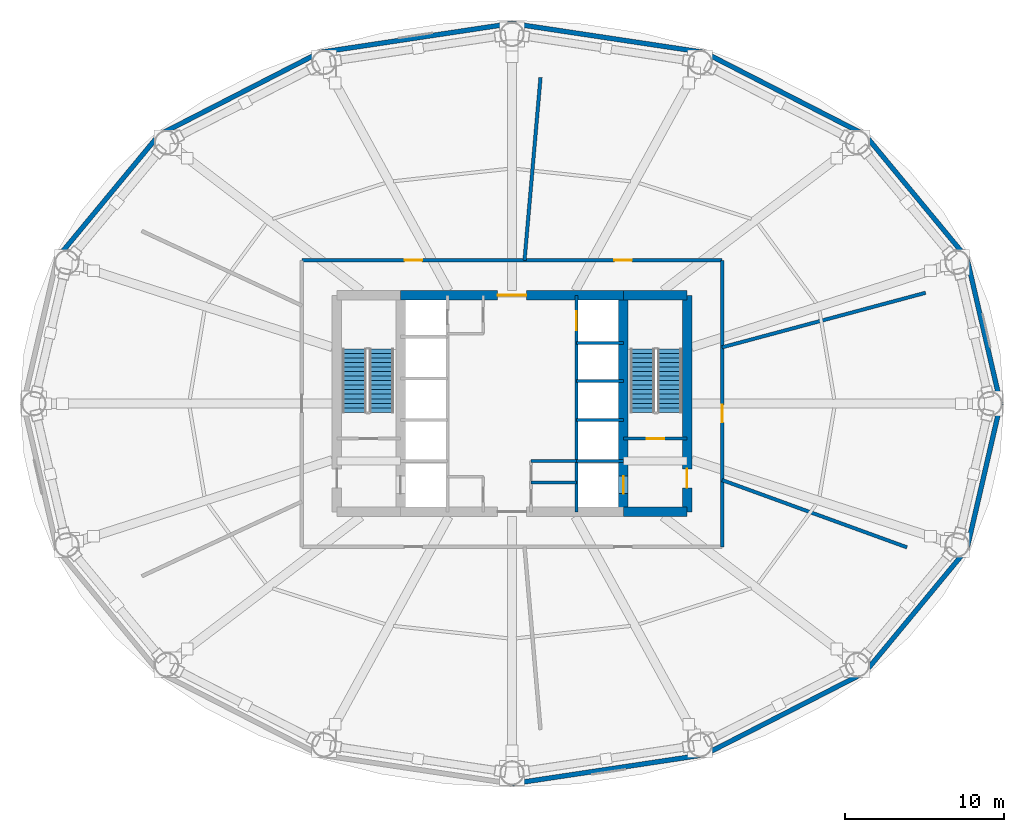
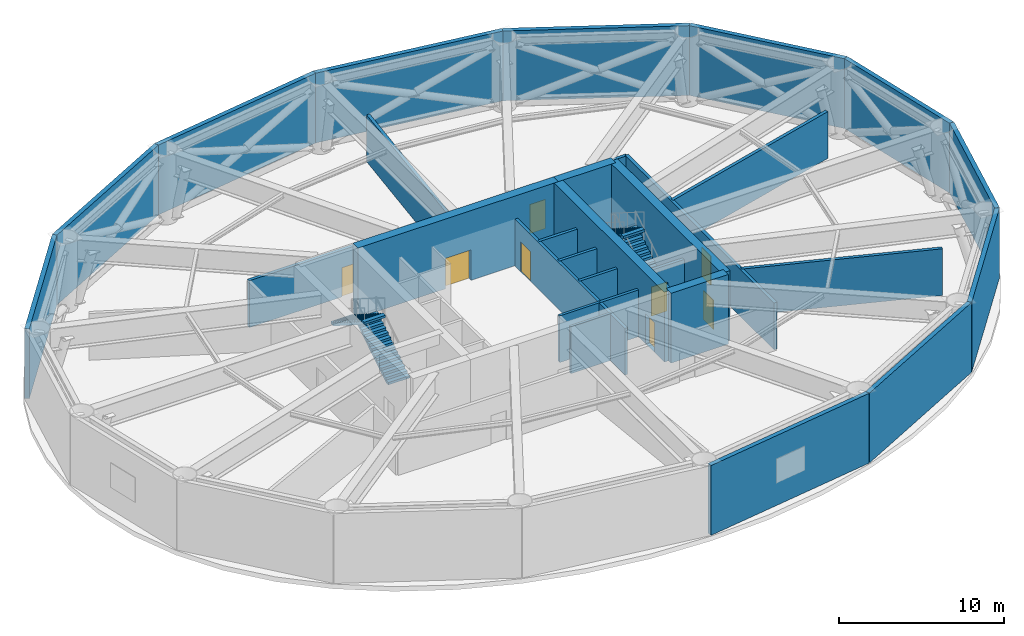
# One storey, part 6 of 7: 30 walls, 8 doors, 4 stair flights, 8 openings, 2 elements without a shape of their own.
"""IFC4 building model written with IfcOpenShell, lengths in metres."""

from ifc_helpers import new_model, si_unit, direction, frame, frame_2d, origin, place, context, subcontext, project, spatial, polyline, rectangle, outline, extrude, material, layer, layer_set, type_object, element, fill, aggregate, save


model = new_model("IFC4")

# Units and contexts
model_context = context("Model", 3, precision=1e-05, world=origin(), true_north=direction((0.0, 1.0)))
body_context = subcontext(model_context, "Body", "Model", "MODEL_VIEW")
ifc_project = project(units=[si_unit("LENGTHUNIT", "METRE"), si_unit("AREAUNIT", "SQUARE_METRE"), si_unit("VOLUMEUNIT", "CUBIC_METRE"), si_unit("PLANEANGLEUNIT", "RADIAN"), si_unit("MASSUNIT", "GRAM", prefix="KILO")], contexts=[model_context])

# Site, building, storey
site_placement = place(None, origin())
site = spatial("IfcSite", under=ifc_project, at=site_placement, CompositionType="ELEMENT")
building_placement = place(site_placement, origin())
building = spatial("IfcBuilding", under=site, at=building_placement, Name="Sarneth Arch Tower", CompositionType="ELEMENT")
storey_placement = place(building_placement, frame((0.0, 0.0, 78.60009765625)))
storey = spatial("IfcBuildingStorey", under=building, at=storey_placement, Name="L19", CompositionType="ELEMENT", Elevation=78.60009765625)

# Wall
ifc_material_1 = material(Name="Concrete C60/75", Category="concrete")
ifc_layer_1 = layer(ifc_material_1, 0.60009765625)
ifc_layer_set_1 = layer_set([ifc_layer_1], Name="Concrete C60/75")
wall_type_1 = type_object("IfcWallType", Name="WALL-CORE-600", PredefinedType="SHEAR", material=ifc_layer_set_1)
wall_1_placement = place(storey_placement, frame((55.0, 35.199951171875, 0.0), z_axis=(0.0, 0.0, 1.0), x_axis=(1.0, 0.0, 0.0)))
element("IfcWall", 1, at=wall_1_placement, inside=storey, type_object=wall_type_1, Name="L19 Core shear wall S-E", PredefinedType="SHEAR", context=body_context, shape_type="SweptSolid", body=[
    extrude(rectangle(XDim=4.0, YDim=0.60009765625, at=frame_2d((2.0, 0.0))), origin(), (0.0, 0.0, 1.0), 5.14990234375),
])

# Wall, opening, door
wall_2_placement = place(storey_placement, frame((41.0, 48.800048828125, 0.0), z_axis=(0.0, 0.0, 1.0), x_axis=(1.0, 0.0, 0.0)))
wall_2 = element("IfcWall", 2, at=wall_2_placement, inside=storey, type_object=wall_type_1, Name="L19 Core shear wall N-M", PredefinedType="SHEAR", context=body_context, shape_type="SweptSolid", body=[
    extrude(rectangle(XDim=14.0, YDim=0.60009765625, at=frame_2d((7.0, 0.0))), origin(), (0.0, 0.0, 1.0), 5.14990234375),
])
opening_1_placement = place(wall_2_placement, frame((6.10009765625, 0.0, 0.0)))
opening_1 = element("IfcOpeningElement", 3, at=opening_1_placement, cuts=wall_2, Name="Opening FD-01", PredefinedType="OPENING", context=body_context, shape_type="SweptSolid", body=[
    extrude(rectangle(XDim=1.800048828125, YDim=2.25, at=frame_2d((0.89990234375, 1.125))), frame((0.0, 0.31005859375, 0.0), z_axis=(0.0, -1.0, 0.0), x_axis=(1.0, 0.0, 0.0)), (0.0, 0.0, 1.0), 0.6201171875),
])
ifc_material_2 = material(Name="Galvanised Steel S275 fire door set", Category="steel")
door_type_1 = type_object("IfcDoorType", Name="DR-FD90-1800", OperationType="DOUBLE_DOOR_SINGLE_SWING", PredefinedType="DOOR", material=ifc_material_2)
door_1_placement = place(opening_1_placement, origin())
door_1 = element("IfcDoor", 4, at=door_1_placement, inside=storey, type_object=door_type_1, Name="L19 Central lift lobby north door", OperationType="DOUBLE_DOOR_SINGLE_SWING", OverallHeight=2.25, OverallWidth=1.800048828125, PredefinedType="DOOR", context=body_context, shape_type="SweptSolid", body=[
    extrude(rectangle(XDim=1.800048828125, YDim=2.25, at=frame_2d((0.89990234375, 1.125))), frame((0.0, 0.02490234375, 0.0), z_axis=(0.0, -1.0, 0.0), x_axis=(1.0, 0.0, 0.0)), (0.0, 0.0, 1.0), 0.050048828125),
])
fill(opening_1, door_1)

# Wall
wall_3_placement = place(storey_placement, frame((55.0, 48.800048828125, 0.0), z_axis=(0.0, 0.0, 1.0), x_axis=(1.0, 0.0, 0.0)))
element("IfcWall", 5, at=wall_3_placement, inside=storey, type_object=wall_type_1, Name="L19 Core shear wall N-E", PredefinedType="SHEAR", context=body_context, shape_type="SweptSolid", body=[
    extrude(rectangle(XDim=4.0, YDim=0.60009765625, at=frame_2d((2.0, 0.0))), origin(), (0.0, 0.0, 1.0), 5.14990234375),
])

# Wall, opening, door
wall_4_placement = place(storey_placement, frame((59.0, 35.199951171875, 0.0), z_axis=(0.0, 0.0, 1.0), x_axis=(0.0, 1.0, 0.0)))
wall_4 = element("IfcWall", 6, at=wall_4_placement, inside=storey, type_object=wall_type_1, Name="L19 Core shear wall E", PredefinedType="SHEAR", context=body_context, shape_type="SweptSolid", body=[
    extrude(rectangle(XDim=13.60009765625, YDim=0.60009765625, at=frame_2d((6.800048828125, 0.0))), origin(), (0.0, 0.0, 1.0), 5.14990234375),
])
opening_2_placement = place(wall_4_placement, frame((1.5, 0.0, 0.0)))
opening_2 = element("IfcOpeningElement", 7, at=opening_2_placement, cuts=wall_4, Name="Opening FD-02", PredefinedType="OPENING", context=body_context, shape_type="SweptSolid", body=[
    extrude(rectangle(XDim=1.199951171875, YDim=2.14990234375, at=frame_2d((0.60009765625, 1.074951171875))), frame((0.0, 0.31005859375, 0.0), z_axis=(0.0, -1.0, 0.0), x_axis=(1.0, 0.0, 0.0)), (0.0, 0.0, 1.0), 0.6201171875),
])
ifc_material_3 = material(Name="Galvanised Steel S275 fire door set", Category="steel")
door_type_2 = type_object("IfcDoorType", Name="DR-FD90-1200", OperationType="SINGLE_SWING_LEFT", PredefinedType="DOOR", material=ifc_material_3)
door_2_placement = place(opening_2_placement, origin())
door_2 = element("IfcDoor", 8, at=door_2_placement, inside=storey, type_object=door_type_2, Name="L19 Firefighting lobby 2 exit door", OperationType="SINGLE_SWING_RIGHT", OverallHeight=2.14990234375, OverallWidth=1.199951171875, PredefinedType="DOOR", context=body_context, shape_type="SweptSolid", body=[
    extrude(rectangle(XDim=1.199951171875, YDim=2.14990234375, at=frame_2d((0.60009765625, 1.074951171875))), frame((0.0, 0.02490234375, 0.0), z_axis=(0.0, -1.0, 0.0), x_axis=(1.0, 0.0, 0.0)), (0.0, 0.0, 1.0), 0.050048828125),
])
fill(opening_2, door_2)

wall_5_placement = place(storey_placement, frame((55.0, 35.199951171875, 0.0), z_axis=(0.0, 0.0, 1.0), x_axis=(0.0, 1.0, 0.0)))
wall_5 = element("IfcWall", 9, at=wall_5_placement, inside=storey, type_object=wall_type_1, Name="L19 Core shear wall WEB-E", PredefinedType="SHEAR", context=body_context, shape_type="SweptSolid", body=[
    extrude(rectangle(XDim=13.60009765625, YDim=0.60009765625, at=frame_2d((6.800048828125, 0.0))), origin(), (0.0, 0.0, 1.0), 5.14990234375),
])
opening_3_placement = place(wall_5_placement, frame((1.14990234375, 0.0, 0.0)))
opening_3 = element("IfcOpeningElement", 10, at=opening_3_placement, cuts=wall_5, Name="Opening LD-1", PredefinedType="OPENING", context=body_context, shape_type="SweptSolid", body=[
    extrude(rectangle(XDim=1.10009765625, YDim=2.199951171875, at=frame_2d((0.550048828125, 1.10009765625))), frame((0.0, 0.31005859375, 0.0), z_axis=(0.0, -1.0, 0.0), x_axis=(1.0, 0.0, 0.0)), (0.0, 0.0, 1.0), 0.6201171875),
])
ifc_material_4 = material(Name="Brushed Stainless Steel 304 lift landing door", Category="steel")
door_type_3 = type_object("IfcDoorType", Name="DR-LIFT-SLIDE-1100", OperationType="SLIDING_TO_LEFT", PredefinedType="DOOR", material=ifc_material_4)
door_3_placement = place(opening_3_placement, origin())
door_3 = element("IfcDoor", 11, at=door_3_placement, inside=storey, type_object=door_type_3, Name="L19 Firefighting lift landing door FL-2", OperationType="SLIDING_TO_RIGHT", OverallHeight=2.199951171875, OverallWidth=1.10009765625, PredefinedType="DOOR", context=body_context, shape_type="SweptSolid", body=[
    extrude(rectangle(XDim=1.10009765625, YDim=2.199951171875, at=frame_2d((0.550048828125, 1.10009765625))), frame((0.0, 0.02490234375, 0.0), z_axis=(0.0, -1.0, 0.0), x_axis=(1.0, 0.0, 0.0)), (0.0, 0.0, 1.0), 0.050048828125),
])
fill(opening_3, door_3)

# Walls
ifc_material_5 = material(Name="Extruded terracotta rainscreen on Concrete C40/50 backing", Category="masonry")
ifc_layer_2 = layer(ifc_material_5, 0.300048828125)
ifc_layer_set_2 = layer_set([ifc_layer_2], Name="Extruded terracotta rainscreen on Concrete C40/50 backing")
wall_type_2 = type_object("IfcWallType", Name="WALL-EXT-ACOUST-300", PredefinedType="SOLIDWALL", material=ifc_layer_set_2)
wall_6_placement = place(storey_placement, frame((78.69580078125, 42.0, 0.0), z_axis=(0.0, 0.0, 1.0), x_axis=(-0.225454452941, 0.974253709076, 0.0)))
element("IfcWall", 12, at=wall_6_placement, inside=storey, type_object=wall_type_2, Name="L19 Terracotta perimeter wall 01", PredefinedType="SOLIDWALL", context=body_context, shape_type="SweptSolid", body=[
    extrude(rectangle(XDim=9.3798828125, YDim=0.300048828125, at=frame_2d((4.68994140625, 0.0))), origin(), (0.0, 0.0, 1.0), 5.14990234375),
])
wall_7_placement = place(storey_placement, frame((76.5810546875, 51.138427734375, 0.0), z_axis=(0.0, 0.0, 1.0), x_axis=(-0.637296809613, 0.770618437657, 0.0)))
element("IfcWall", 13, at=wall_7_placement, inside=storey, type_object=wall_type_2, Name="L19 Terracotta perimeter wall 02", PredefinedType="SOLIDWALL", context=body_context, shape_type="SweptSolid", body=[
    extrude(rectangle(XDim=10.053466796875, YDim=0.300048828125, at=frame_2d((5.02685546875, 0.0))), origin(), (0.0, 0.0, 1.0), 5.14990234375),
])
wall_8_placement = place(storey_placement, frame((70.174072265625, 58.8857421875, 0.0), z_axis=(0.0, 0.0, 1.0), x_axis=(-0.889853976658, 0.456245438581, 0.0)))
element("IfcWall", 14, at=wall_8_placement, inside=storey, type_object=wall_type_2, Name="L19 Terracotta perimeter wall 03", PredefinedType="SOLIDWALL", context=body_context, shape_type="SweptSolid", body=[
    extrude(rectangle(XDim=11.345947265625, YDim=0.300048828125, at=frame_2d((5.6728515625, 0.0))), origin(), (0.0, 0.0, 1.0), 5.14990234375),
])
for number, where, z_axis, x_axis, name in (
    (15, (60.077880859375, 64.062255859375, 0.0), (0.0, 0.0, 1.0), (-0.988864835849, 0.148816452121, 0.0), "L19 Terracotta perimeter wall 04"),
    (16, (48.0, 65.8798828125, 0.0), (0.0, 0.0, 1.0), (-0.988864835849, -0.148816452121, 0.0), "L19 Terracotta perimeter wall 05"),
):
    element("IfcWall", number, at=place(storey_placement, frame(where, z_axis=z_axis, x_axis=x_axis)), inside=storey, type_object=wall_type_2, Name=name, PredefinedType="SOLIDWALL", context=body_context, shape_type="SweptSolid", body=[
        extrude(rectangle(XDim=12.2138671875, YDim=0.300048828125, at=frame_2d((6.10693359375, 0.0))), origin(), (0.0, 0.0, 1.0), 5.14990234375),
    ])
wall_9_placement = place(storey_placement, frame((35.922119140625, 64.062255859375, 0.0), z_axis=(0.0, 0.0, 1.0), x_axis=(-0.889853976658, -0.456245438581, 0.0)))
element("IfcWall", 17, at=wall_9_placement, inside=storey, type_object=wall_type_2, Name="L19 Terracotta perimeter wall 06", PredefinedType="SOLIDWALL", context=body_context, shape_type="SweptSolid", body=[
    extrude(rectangle(XDim=11.345947265625, YDim=0.300048828125, at=frame_2d((5.6728515625, 0.0))), origin(), (0.0, 0.0, 1.0), 5.14990234375),
])
wall_10_placement = place(storey_placement, frame((25.825927734375, 58.8857421875, 0.0), z_axis=(0.0, 0.0, 1.0), x_axis=(-0.637296809613, -0.770618437657, 0.0)))
element("IfcWall", 18, at=wall_10_placement, inside=storey, type_object=wall_type_2, Name="L19 Terracotta perimeter wall 07", PredefinedType="SOLIDWALL", context=body_context, shape_type="SweptSolid", body=[
    extrude(rectangle(XDim=10.053466796875, YDim=0.300048828125, at=frame_2d((5.02685546875, 0.0))), origin(), (0.0, 0.0, 1.0), 5.14990234375),
])
wall_11_placement = place(storey_placement, frame((48.0, 18.1201171875, 0.0), z_axis=(0.0, 0.0, 1.0), x_axis=(0.988864835849, 0.148816452121, 0.0)))
element("IfcWall", 19, at=wall_11_placement, inside=storey, type_object=wall_type_2, Name="L19 Terracotta perimeter wall 13", PredefinedType="SOLIDWALL", context=body_context, shape_type="SweptSolid", body=[
    extrude(rectangle(XDim=12.2138671875, YDim=0.300048828125, at=frame_2d((6.10693359375, 0.0))), origin(), (0.0, 0.0, 1.0), 5.14990234375),
])
wall_12_placement = place(storey_placement, frame((60.077880859375, 19.937744140625, 0.0), z_axis=(0.0, 0.0, 1.0), x_axis=(0.889853976658, 0.456245438581, 0.0)))
element("IfcWall", 20, at=wall_12_placement, inside=storey, type_object=wall_type_2, Name="L19 Terracotta perimeter wall 14", PredefinedType="SOLIDWALL", context=body_context, shape_type="SweptSolid", body=[
    extrude(rectangle(XDim=11.345947265625, YDim=0.300048828125, at=frame_2d((5.6728515625, 0.0))), origin(), (0.0, 0.0, 1.0), 5.14990234375),
])
wall_13_placement = place(storey_placement, frame((70.174072265625, 25.1142578125, 0.0), z_axis=(0.0, 0.0, 1.0), x_axis=(0.637296809613, 0.770618437657, 0.0)))
element("IfcWall", 21, at=wall_13_placement, inside=storey, type_object=wall_type_2, Name="L19 Terracotta perimeter wall 15", PredefinedType="SOLIDWALL", context=body_context, shape_type="SweptSolid", body=[
    extrude(rectangle(XDim=10.053466796875, YDim=0.300048828125, at=frame_2d((5.02685546875, 0.0))), origin(), (0.0, 0.0, 1.0), 5.14990234375),
])
wall_14_placement = place(storey_placement, frame((76.5810546875, 32.861572265625, 0.0), z_axis=(0.0, 0.0, 1.0), x_axis=(0.225454452941, 0.974253709076, 0.0)))
element("IfcWall", 22, at=wall_14_placement, inside=storey, type_object=wall_type_2, Name="L19 Terracotta perimeter wall 16", PredefinedType="SOLIDWALL", context=body_context, shape_type="SweptSolid", body=[
    extrude(rectangle(XDim=9.3798828125, YDim=0.300048828125, at=frame_2d((4.68994140625, 0.0))), origin(), (0.0, 0.0, 1.0), 5.14990234375),
])

# Wall, openings, doors
ifc_material_6 = material(Name="Aerated concrete blockwork C25/30", Category="masonry")
ifc_layer_3 = layer(ifc_material_6, 0.219970703125)
ifc_layer_set_3 = layer_set([ifc_layer_3], Name="Aerated concrete blockwork C25/30")
wall_type_3 = type_object("IfcWallType", Name="WALL-FIRE-220", PredefinedType="SOLIDWALL", material=ifc_layer_set_3)
wall_15_placement = place(storey_placement, frame((34.800048828125, 51.0, 0.0), z_axis=(0.0, 0.0, 1.0), x_axis=(1.0, 0.0, 0.0)))
wall_15 = element("IfcWall", 23, at=wall_15_placement, inside=storey, type_object=wall_type_3, Name="L19 Interior partition W-L19-TP-004", PredefinedType="SOLIDWALL", context=body_context, shape_type="SweptSolid", body=[
    extrude(rectangle(XDim=26.39990234375, YDim=0.219970703125, at=frame_2d((13.199951171875, 0.0))), origin(), (0.0, 0.0, 1.0), 3.449951171875),
])
opening_4_placement = place(wall_15_placement, frame((6.459716796875, 0.0, 0.0)))
opening_4 = element("IfcOpeningElement", 24, at=opening_4_placement, cuts=wall_15, Name="Opening FD-03", PredefinedType="OPENING", context=body_context, shape_type="SweptSolid", body=[
    extrude(rectangle(XDim=1.10009765625, YDim=2.14990234375, at=frame_2d((0.550048828125, 1.074951171875))), frame((0.0, 0.119873046875, 0.0), z_axis=(0.0, -1.0, 0.0), x_axis=(1.0, 0.0, 0.0)), (0.0, 0.0, 1.0), 0.239990234375),
])
opening_5_placement = place(wall_15_placement, frame((19.627685546875, 0.0, 0.0)))
opening_5 = element("IfcOpeningElement", 25, at=opening_5_placement, cuts=wall_15, Name="Opening FD-03", PredefinedType="OPENING", context=body_context, shape_type="SweptSolid", body=[
    extrude(rectangle(XDim=1.10009765625, YDim=2.14990234375, at=frame_2d((0.550048828125, 1.074951171875))), frame((0.0, 0.119873046875, 0.0), z_axis=(0.0, -1.0, 0.0), x_axis=(1.0, 0.0, 0.0)), (0.0, 0.0, 1.0), 0.239990234375),
])
ifc_material_7 = material(Name="Galvanised Steel S275 fire door set", Category="steel")
door_type_4 = type_object("IfcDoorType", Name="DR-FD90-1100", OperationType="SINGLE_SWING_LEFT", PredefinedType="DOOR", material=ifc_material_7)
door_4_placement = place(opening_4_placement, origin())
door_4 = element("IfcDoor", 26, at=door_4_placement, inside=storey, type_object=door_type_4, Name="L19 Interior door DR-L19-PSEC-2", OperationType="SINGLE_SWING_LEFT", OverallHeight=2.14990234375, OverallWidth=1.10009765625, PredefinedType="DOOR", context=body_context, shape_type="SweptSolid", body=[
    extrude(rectangle(XDim=1.10009765625, YDim=2.14990234375, at=frame_2d((0.550048828125, 1.074951171875))), frame((0.0, 0.02490234375, 0.0), z_axis=(0.0, -1.0, 0.0), x_axis=(1.0, 0.0, 0.0)), (0.0, 0.0, 1.0), 0.050048828125),
])
fill(opening_4, door_4)
door_5_placement = place(opening_5_placement, origin())
door_5 = element("IfcDoor", 27, at=door_5_placement, inside=storey, type_object=door_type_4, Name="L19 Interior door DR-L19-PSEC-1", OperationType="SINGLE_SWING_LEFT", OverallHeight=2.14990234375, OverallWidth=1.10009765625, PredefinedType="DOOR", context=body_context, shape_type="SweptSolid", body=[
    extrude(rectangle(XDim=1.10009765625, YDim=2.14990234375, at=frame_2d((0.550048828125, 1.074951171875))), frame((0.0, 0.02490234375, 0.0), z_axis=(0.0, -1.0, 0.0), x_axis=(1.0, 0.0, 0.0)), (0.0, 0.0, 1.0), 0.050048828125),
])
fill(opening_5, door_5)

# Walls
wall_16_placement = place(storey_placement, frame((61.199951171875, 45.536865234375, 0.0), z_axis=(0.0, 0.0, 1.0), x_axis=(0.965923758995, 0.258826760226, 0.0)))
element("IfcWall", 28, at=wall_16_placement, inside=storey, type_object=wall_type_3, Name="L19 Interior partition W-L19-TP-012", PredefinedType="SOLIDWALL", context=body_context, shape_type="SweptSolid", body=[
    extrude(rectangle(XDim=13.23388671875, YDim=0.219970703125, at=frame_2d((6.616943359375, 0.0))), origin(), (0.0, 0.0, 1.0), 3.449951171875),
])
wall_17_placement = place(storey_placement, frame((72.81298828125, 32.96875, 0.0), z_axis=(0.0, 0.0, 1.0), x_axis=(-0.939692443855, 0.342020629438, 0.0)))
element("IfcWall", 29, at=wall_17_placement, inside=storey, type_object=wall_type_3, Name="L19 Interior partition W-L19-TP-016", PredefinedType="SOLIDWALL", context=body_context, shape_type="SweptSolid", body=[
    extrude(rectangle(XDim=12.3583984375, YDim=0.219970703125, at=frame_2d((6.17919921875, 0.0))), origin(), (0.0, 0.0, 1.0), 3.449951171875),
])
wall_18_placement = place(storey_placement, frame((48.787353515625, 51.0, 0.0), z_axis=(0.0, 0.0, 1.0), x_axis=(0.087147518891, 0.996195417552, 0.0)))
element("IfcWall", 30, at=wall_18_placement, inside=storey, type_object=wall_type_3, Name="L19 Interior partition W-L19-TP-011", PredefinedType="SOLIDWALL", context=body_context, shape_type="SweptSolid", body=[
    extrude(rectangle(XDim=11.53369140625, YDim=0.219970703125, at=frame_2d((5.766845703125, 0.0))), origin(), (0.0, 0.0, 1.0), 3.449951171875),
])

# Wall, opening, door
wall_19_placement = place(storey_placement, frame((61.199951171875, 51.0, 0.0), z_axis=(0.0, 0.0, 1.0), x_axis=(0.0, -1.0, 0.0)))
wall_19 = element("IfcWall", 31, at=wall_19_placement, inside=storey, type_object=wall_type_3, Name="L19 Interior partition W-L19-TP-010", PredefinedType="SOLIDWALL", context=body_context, shape_type="SweptSolid", body=[
    extrude(rectangle(XDim=18.0, YDim=0.219970703125, at=frame_2d((9.0, 0.0))), origin(), (0.0, 0.0, 1.0), 3.449951171875),
])
opening_6_placement = place(wall_19_placement, frame((9.084228515625, 0.0, 0.0)))
opening_6 = element("IfcOpeningElement", 32, at=opening_6_placement, cuts=wall_19, Name="Opening FD-03", PredefinedType="OPENING", context=body_context, shape_type="SweptSolid", body=[
    extrude(rectangle(XDim=1.10009765625, YDim=2.14990234375, at=frame_2d((0.550048828125, 1.074951171875))), frame((0.0, 0.119873046875, 0.0), z_axis=(0.0, -1.0, 0.0), x_axis=(1.0, 0.0, 0.0)), (0.0, 0.0, 1.0), 0.239990234375),
])
door_6_placement = place(opening_6_placement, origin())
door_6 = element("IfcDoor", 33, at=door_6_placement, inside=storey, type_object=door_type_4, Name="L19 Interior door DR-L19-PSEC-6", OperationType="SINGLE_SWING_RIGHT", OverallHeight=2.14990234375, OverallWidth=1.10009765625, PredefinedType="DOOR", context=body_context, shape_type="SweptSolid", body=[
    extrude(rectangle(XDim=1.10009765625, YDim=2.14990234375, at=frame_2d((0.550048828125, 1.074951171875))), frame((0.0, 0.02490234375, 0.0), z_axis=(0.0, -1.0, 0.0), x_axis=(1.0, 0.0, 0.0)), (0.0, 0.0, 1.0), 0.050048828125),
])
fill(opening_6, door_6)

# Walls
ifc_material_8 = material(Name="Moisture-resistant plumbing chase wall", Category="gypsum")
ifc_layer_4 = layer(ifc_material_8, 0.179931640625)
ifc_layer_set_4 = layer_set([ifc_layer_4], Name="Moisture-resistant plumbing chase wall")
wall_type_4 = type_object("IfcWallType", Name="WALL-PLUMB-180", PredefinedType="PLUMBINGWALL", material=ifc_layer_set_4)
for number, where, z_axis, x_axis, name in (
    (34, (49.199951171875, 37.050048828125, 0.0), (0.0, 0.0, 1.0), (1.0, 0.0, 0.0), "L19 Interior partition W-L19-AWC-M"),
    (35, (49.199951171875, 38.39990234375, 0.0), (0.0, 0.0, 1.0), (1.0, 0.0, 0.0), "L19 Interior partition W-L19-AWC-N"),
):
    element("IfcWall", number, at=place(storey_placement, frame(where, z_axis=z_axis, x_axis=x_axis)), inside=storey, type_object=wall_type_4, Name=name, PredefinedType="PLUMBINGWALL", context=body_context, shape_type="SweptSolid", body=[
        extrude(rectangle(XDim=2.85009765625, YDim=0.179931640625, at=frame_2d((1.425048828125, 0.0))), origin(), (0.0, 0.0, 1.0), 3.449951171875),
    ])

# Wall, opening, door
ifc_material_9 = material(Name="Aerated concrete blockwork C25/30", Category="masonry")
ifc_layer_5 = layer(ifc_material_9, 0.199951171875)
ifc_layer_set_5 = layer_set([ifc_layer_5], Name="Aerated concrete blockwork C25/30")
wall_type_5 = type_object("IfcWallType", Name="WALL-SHAFT-200", PredefinedType="SOLIDWALL", material=ifc_layer_set_5)
wall_20_placement = place(storey_placement, frame((55.0, 39.800048828125, 0.0), z_axis=(0.0, 0.0, 1.0), x_axis=(1.0, 0.0, 0.0)))
wall_20 = element("IfcWall", 36, at=wall_20_placement, inside=storey, type_object=wall_type_5, Name="L19 Interior partition W-L19-ST2-S", PredefinedType="SOLIDWALL", context=body_context, shape_type="SweptSolid", body=[
    extrude(rectangle(XDim=4.0, YDim=0.199951171875, at=frame_2d((2.0, 0.0))), origin(), (0.0, 0.0, 1.0), 3.449951171875),
])
opening_7_placement = place(wall_20_placement, frame((1.449951171875, 0.0, 0.0)))
opening_7 = element("IfcOpeningElement", 37, at=opening_7_placement, cuts=wall_20, Name="Opening FD-03", PredefinedType="OPENING", context=body_context, shape_type="SweptSolid", body=[
    extrude(rectangle(XDim=1.10009765625, YDim=2.14990234375, at=frame_2d((0.550048828125, 1.074951171875))), frame((0.0, 0.10986328125, 0.0), z_axis=(0.0, -1.0, 0.0), x_axis=(1.0, 0.0, 0.0)), (0.0, 0.0, 1.0), 0.219970703125),
])
door_7_placement = place(opening_7_placement, origin())
door_7 = element("IfcDoor", 38, at=door_7_placement, inside=storey, type_object=door_type_4, Name="L19 Interior door DR-L19-ST2", OperationType="SINGLE_SWING_RIGHT", OverallHeight=2.14990234375, OverallWidth=1.10009765625, PredefinedType="DOOR", context=body_context, shape_type="SweptSolid", body=[
    extrude(rectangle(XDim=1.10009765625, YDim=2.14990234375, at=frame_2d((0.550048828125, 1.074951171875))), frame((0.0, 0.02490234375, 0.0), z_axis=(0.0, -1.0, 0.0), x_axis=(1.0, 0.0, 0.0)), (0.0, 0.0, 1.0), 0.050048828125),
])
fill(opening_7, door_7)

# Walls
wall_21_placement = place(storey_placement, frame((52.050048828125, 35.199951171875, 0.0), z_axis=(0.0, 0.0, 1.0), x_axis=(0.0, 1.0, 0.0)))
element("IfcWall", 39, at=wall_21_placement, inside=storey, type_object=wall_type_5, Name="L19 Interior partition W-L19-FL2-W", PredefinedType="SOLIDWALL", context=body_context, shape_type="SweptSolid", body=[
    extrude(rectangle(XDim=3.199951171875, YDim=0.199951171875, at=frame_2d((1.60009765625, 0.0))), origin(), (0.0, 0.0, 1.0), 3.449951171875),
])
wall_22_placement = place(storey_placement, frame((52.050048828125, 38.39990234375, 0.0), z_axis=(0.0, 0.0, 1.0), x_axis=(1.0, 0.0, 0.0)))
element("IfcWall", 40, at=wall_22_placement, inside=storey, type_object=wall_type_5, Name="L19 Interior partition W-L19-FL2-N", PredefinedType="SOLIDWALL", context=body_context, shape_type="SweptSolid", body=[
    extrude(rectangle(XDim=2.949951171875, YDim=0.199951171875, at=frame_2d((1.47509765625, 0.0))), origin(), (0.0, 0.0, 1.0), 3.449951171875),
])

# Wall, opening, door
wall_23_placement = place(storey_placement, frame((52.050048828125, 38.39990234375, 0.0), z_axis=(0.0, 0.0, 1.0), x_axis=(0.0, 1.0, 0.0)))
wall_23 = element("IfcWall", 41, at=wall_23_placement, inside=storey, type_object=wall_type_5, Name="L19 Interior partition W-L19-EASTBANK-FRONT", PredefinedType="SOLIDWALL", context=body_context, shape_type="SweptSolid", body=[
    extrude(rectangle(XDim=10.400146484375, YDim=0.199951171875, at=frame_2d((5.2001953125, 0.0))), origin(), (0.0, 0.0, 1.0), 3.449951171875),
])
opening_8_placement = place(wall_23_placement, frame((8.199951171875, 0.0, 0.0)))
opening_8 = element("IfcOpeningElement", 42, at=opening_8_placement, cuts=wall_23, Name="Opening LD-2", PredefinedType="OPENING", context=body_context, shape_type="SweptSolid", body=[
    extrude(rectangle(XDim=1.199951171875, YDim=2.199951171875, at=frame_2d((0.60009765625, 1.10009765625))), frame((0.0, 0.10986328125, 0.0), z_axis=(0.0, -1.0, 0.0), x_axis=(1.0, 0.0, 0.0)), (0.0, 0.0, 1.0), 0.219970703125),
])
ifc_material_10 = material(Name="Brushed Stainless Steel 304 service lift door", Category="steel")
door_type_5 = type_object("IfcDoorType", Name="DR-LIFT-SLIDE-1200", OperationType="SLIDING_TO_RIGHT", PredefinedType="DOOR", material=ifc_material_10)
door_8_placement = place(opening_8_placement, origin())
door_8 = element("IfcDoor", 43, at=door_8_placement, inside=storey, type_object=door_type_5, Name="L19 Lift landing door DR-L19-LD-SL1", OperationType="SLIDING_TO_RIGHT", OverallHeight=2.199951171875, OverallWidth=1.199951171875, PredefinedType="DOOR", context=body_context, shape_type="SweptSolid", body=[
    extrude(rectangle(XDim=1.199951171875, YDim=2.199951171875, at=frame_2d((0.60009765625, 1.10009765625))), frame((0.0, 0.02490234375, 0.0), z_axis=(0.0, -1.0, 0.0), x_axis=(1.0, 0.0, 0.0)), (0.0, 0.0, 1.0), 0.050048828125),
])
fill(opening_8, door_8)

# Walls
for number, where, z_axis, x_axis, name in (
    (44, (52.050048828125, 40.97998046875, 0.0), (0.0, 0.0, 1.0), (1.0, 0.0, 0.0), "L19 Interior partition W-L19-EB-DIV-4098"),
    (45, (52.050048828125, 43.419921875, 0.0), (0.0, 0.0, 1.0), (1.0, 0.0, 0.0), "L19 Interior partition W-L19-EB-DIV-4342"),
    (46, (52.050048828125, 45.800048828125, 0.0), (0.0, 0.0, 1.0), (1.0, 0.0, 0.0), "L19 Interior partition W-L19-EB-DIV-4580"),
):
    element("IfcWall", number, at=place(storey_placement, frame(where, z_axis=z_axis, x_axis=x_axis)), inside=storey, type_object=wall_type_5, Name=name, PredefinedType="SOLIDWALL", context=body_context, shape_type="SweptSolid", body=[
        extrude(rectangle(XDim=2.949951171875, YDim=0.199951171875, at=frame_2d((1.47509765625, 0.0))), origin(), (0.0, 0.0, 1.0), 3.449951171875),
    ])

# Stair, stair flights
ifc_material_11 = material(Name="Concrete C50/60", Category="concrete")
stair_type = type_object("IfcStairType", Name="STAIR-CORE-RC", PredefinedType="HALF_TURN_STAIR", material=ifc_material_11)
stair_1_placement = place(storey_placement, origin())
stair_1 = element("IfcStair", 47, at=stair_1_placement, inside=storey, type_object=stair_type, Name="L19 Core Exit Stair 1", PredefinedType="HALF_TURN_STAIR")
ifc_material_12 = material(Name="Concrete C50/60", Category="concrete")
stair_flight_type = type_object("IfcStairFlightType", Name="FLIGHT-RC-1500", PredefinedType="STRAIGHT", material=ifc_material_12)
stair_flight_1_placement = place(storey_placement, frame((39.800048828125, 41.449951171875, 0.0), z_axis=(0.0, 0.0, 1.0), x_axis=(0.0, 1.0, 0.0)))
stair_flight_1 = element("IfcStairFlight", 48, at=stair_flight_1_placement, type_object=stair_flight_type, Name="ST-1 flight 1", NumberOfRisers=15, NumberOfTreads=14, PredefinedType="STRAIGHT", RiserHeight=0.18, TreadLength=0.285, context=body_context, shape_type="SweptSolid", body=[
    extrude(outline(polyline([(0.0, 0.0), (0.0, 0.179931640625), (0.284912109375, 0.179931640625), (0.284912109375, 0.360107421875), (0.570068359375, 0.360107421875), (0.570068359375, 0.5400390625), (0.85498046875, 0.5400390625), (0.85498046875, 0.719970703125), (1.139892578125, 0.719970703125), (1.139892578125, 0.89990234375), (1.425048828125, 0.89990234375), (1.425048828125, 1.080078125), (1.7099609375, 1.080078125), (1.7099609375, 1.260009765625), (1.9951171875, 1.260009765625), (1.9951171875, 1.43994140625), (2.280029296875, 1.43994140625), (2.280029296875, 1.6201171875), (2.56494140625, 1.6201171875), (2.56494140625, 1.800048828125), (2.85009765625, 1.800048828125), (2.85009765625, 1.97998046875), (3.135009765625, 1.97998046875), (3.135009765625, 2.159912109375), (3.419921875, 2.159912109375), (3.419921875, 2.340087890625), (3.705078125, 2.340087890625), (3.705078125, 2.52001953125), (3.989990234375, 2.52001953125), (3.989990234375, 2.699951171875), (3.989990234375, 2.3427734375), (0.28076171875, 0.0), (0.0, 0.0)])), frame((0.0, 0.75, 0.0), z_axis=(0.0, -1.0, 0.0), x_axis=(1.0, 0.0, 0.0)), (0.0, 0.0, 1.0), 1.5),
])
stair_flight_2_placement = place(storey_placement, frame((38.10009765625, 45.43994140625, 2.699951171875), z_axis=(0.0, 0.0, 1.0), x_axis=(0.0, -1.0, 0.0)))
stair_flight_2 = element("IfcStairFlight", 49, at=stair_flight_2_placement, type_object=stair_flight_type, Name="ST-1 flight 2", NumberOfRisers=15, NumberOfTreads=14, PredefinedType="STRAIGHT", RiserHeight=0.18, TreadLength=0.285, context=body_context, shape_type="SweptSolid", body=[
    extrude(outline(polyline([(0.0, 0.0), (0.0, 0.179931640625), (0.284912109375, 0.179931640625), (0.284912109375, 0.360107421875), (0.570068359375, 0.360107421875), (0.570068359375, 0.5400390625), (0.85498046875, 0.5400390625), (0.85498046875, 0.719970703125), (1.139892578125, 0.719970703125), (1.139892578125, 0.89990234375), (1.425048828125, 0.89990234375), (1.425048828125, 1.080078125), (1.7099609375, 1.080078125), (1.7099609375, 1.260009765625), (1.9951171875, 1.260009765625), (1.9951171875, 1.43994140625), (2.280029296875, 1.43994140625), (2.280029296875, 1.6201171875), (2.56494140625, 1.6201171875), (2.56494140625, 1.800048828125), (2.85009765625, 1.800048828125), (2.85009765625, 1.97998046875), (3.135009765625, 1.97998046875), (3.135009765625, 2.159912109375), (3.419921875, 2.159912109375), (3.419921875, 2.340087890625), (3.705078125, 2.340087890625), (3.705078125, 2.52001953125), (3.989990234375, 2.52001953125), (3.989990234375, 2.699951171875), (3.989990234375, 2.3427734375), (0.28076171875, 0.0), (0.0, 0.0)])), frame((0.0, 0.75, 0.0), z_axis=(0.0, -1.0, 0.0), x_axis=(1.0, 0.0, 0.0)), (0.0, 0.0, 1.0), 1.5),
])
aggregate(stair_1, [stair_flight_1, stair_flight_2])

stair_2_placement = place(storey_placement, origin())
stair_2 = element("IfcStair", 50, at=stair_2_placement, inside=storey, type_object=stair_type, Name="L19 Core Exit Stair 2", PredefinedType="HALF_TURN_STAIR")
stair_flight_3_placement = place(storey_placement, frame((57.89990234375, 41.449951171875, 0.0), z_axis=(0.0, 0.0, 1.0), x_axis=(0.0, 1.0, 0.0)))
stair_flight_3 = element("IfcStairFlight", 51, at=stair_flight_3_placement, type_object=stair_flight_type, Name="ST-2 flight 1", NumberOfRisers=15, NumberOfTreads=14, PredefinedType="STRAIGHT", RiserHeight=0.18, TreadLength=0.285, context=body_context, shape_type="SweptSolid", body=[
    extrude(outline(polyline([(0.0, 0.0), (0.0, 0.179931640625), (0.284912109375, 0.179931640625), (0.284912109375, 0.360107421875), (0.570068359375, 0.360107421875), (0.570068359375, 0.5400390625), (0.85498046875, 0.5400390625), (0.85498046875, 0.719970703125), (1.139892578125, 0.719970703125), (1.139892578125, 0.89990234375), (1.425048828125, 0.89990234375), (1.425048828125, 1.080078125), (1.7099609375, 1.080078125), (1.7099609375, 1.260009765625), (1.9951171875, 1.260009765625), (1.9951171875, 1.43994140625), (2.280029296875, 1.43994140625), (2.280029296875, 1.6201171875), (2.56494140625, 1.6201171875), (2.56494140625, 1.800048828125), (2.85009765625, 1.800048828125), (2.85009765625, 1.97998046875), (3.135009765625, 1.97998046875), (3.135009765625, 2.159912109375), (3.419921875, 2.159912109375), (3.419921875, 2.340087890625), (3.705078125, 2.340087890625), (3.705078125, 2.52001953125), (3.989990234375, 2.52001953125), (3.989990234375, 2.699951171875), (3.989990234375, 2.3427734375), (0.28076171875, 0.0), (0.0, 0.0)])), frame((0.0, 0.75, 0.0), z_axis=(0.0, -1.0, 0.0), x_axis=(1.0, 0.0, 0.0)), (0.0, 0.0, 1.0), 1.5),
])
stair_flight_4_placement = place(storey_placement, frame((56.199951171875, 45.43994140625, 2.699951171875), z_axis=(0.0, 0.0, 1.0), x_axis=(0.0, -1.0, 0.0)))
stair_flight_4 = element("IfcStairFlight", 52, at=stair_flight_4_placement, type_object=stair_flight_type, Name="ST-2 flight 2", NumberOfRisers=15, NumberOfTreads=14, PredefinedType="STRAIGHT", RiserHeight=0.18, TreadLength=0.285, context=body_context, shape_type="SweptSolid", body=[
    extrude(outline(polyline([(0.0, 0.0), (0.0, 0.179931640625), (0.284912109375, 0.179931640625), (0.284912109375, 0.360107421875), (0.570068359375, 0.360107421875), (0.570068359375, 0.5400390625), (0.85498046875, 0.5400390625), (0.85498046875, 0.719970703125), (1.139892578125, 0.719970703125), (1.139892578125, 0.89990234375), (1.425048828125, 0.89990234375), (1.425048828125, 1.080078125), (1.7099609375, 1.080078125), (1.7099609375, 1.260009765625), (1.9951171875, 1.260009765625), (1.9951171875, 1.43994140625), (2.280029296875, 1.43994140625), (2.280029296875, 1.6201171875), (2.56494140625, 1.6201171875), (2.56494140625, 1.800048828125), (2.85009765625, 1.800048828125), (2.85009765625, 1.97998046875), (3.135009765625, 1.97998046875), (3.135009765625, 2.159912109375), (3.419921875, 2.159912109375), (3.419921875, 2.340087890625), (3.705078125, 2.340087890625), (3.705078125, 2.52001953125), (3.989990234375, 2.52001953125), (3.989990234375, 2.699951171875), (3.989990234375, 2.3427734375), (0.28076171875, 0.0), (0.0, 0.0)])), frame((0.0, 0.75, 0.0), z_axis=(0.0, -1.0, 0.0), x_axis=(1.0, 0.0, 0.0)), (0.0, 0.0, 1.0), 1.5),
])
aggregate(stair_2, [stair_flight_3, stair_flight_4])

save(model, "model.ifc")
